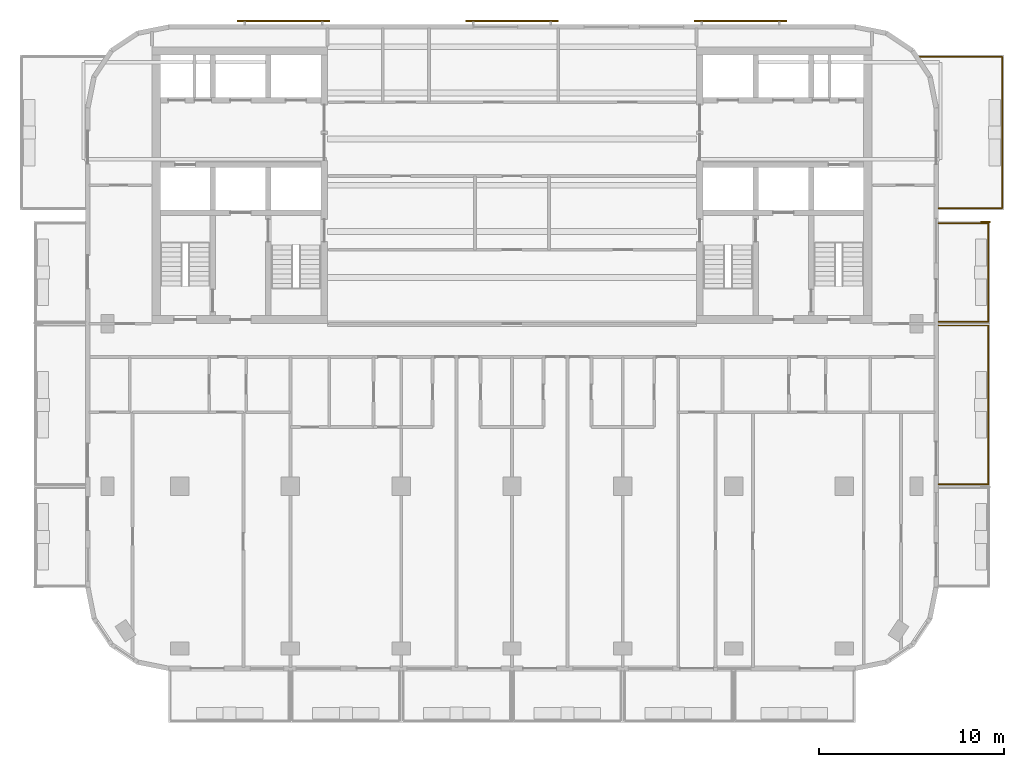
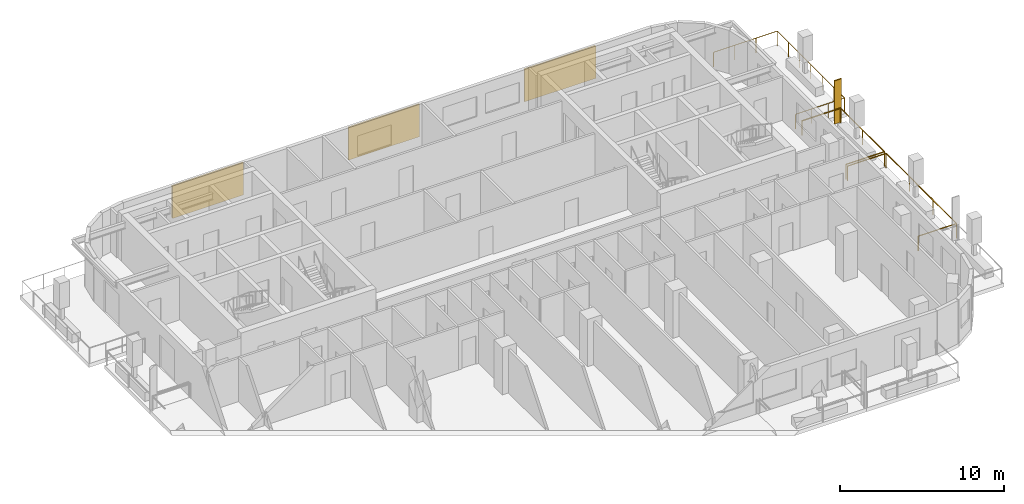
# One storey, part 10 of 11: 4 shading devices, 3 railings.
"""IFC4 building model written with IfcOpenShell, lengths in metres."""

from ifc_helpers import new_model, si_unit, direction, frame, origin, origin_2d, place, context, subcontext, project, spatial, rectangle, circle, extrude, material, layer, layer_set, type_object, element, save


model = new_model("IFC4")

# Units and contexts
model_context = context("Model", 3, precision=1e-05, world=origin(), true_north=direction((0.0, 1.0)))
body_context = subcontext(model_context, "Body", "Model", "MODEL_VIEW")
ifc_project = project(units=[si_unit("LENGTHUNIT", "METRE"), si_unit("AREAUNIT", "SQUARE_METRE"), si_unit("VOLUMEUNIT", "CUBIC_METRE"), si_unit("PLANEANGLEUNIT", "RADIAN"), si_unit("MASSUNIT", "GRAM", prefix="KILO")], contexts=[model_context])

# Site, building, storey
site_placement = place(None, origin())
site = spatial("IfcSite", under=ifc_project, at=site_placement, CompositionType="ELEMENT")
building_placement = place(site_placement, origin())
building = spatial("IfcBuilding", under=site, at=building_placement, Name="Torana Hotel and Residences", CompositionType="ELEMENT")
storey_placement = place(building_placement, frame((0.0, 0.0, 256.10009765625)))
storey = spatial("IfcBuildingStorey", under=building, at=storey_placement, Name="L67", CompositionType="ELEMENT", Elevation=256.10009765625)

# Shading device
ifc_material_1 = material(Name="Black powder coated aluminium", Category="aluminium")
ifc_layer_1 = layer(ifc_material_1, 0.080078125)
ifc_layer_set_1 = layer_set([ifc_layer_1], Name="FN1 VERTICAL FIN 500x80")
shading_device_type_1 = type_object("IfcShadingDeviceType", Name="FN1 VERTICAL FIN 500x80", PredefinedType="USERDEFINED", material=ifc_layer_set_1)
shading_device_placement = place(storey_placement, frame((25.64990234375, -9.489990234375, 0.0), z_axis=(0.0, 0.0, 1.0), x_axis=(0.0, -1.0, 0.0)))
element("IfcShadingDevice", 1, at=shading_device_placement, inside=storey, type_object=shading_device_type_1, Name="Fin 13", ObjectType="FIN", PredefinedType="USERDEFINED", context=body_context, shape_type="SweptSolid", body=[
    extrude(rectangle(XDim=0.080078125, YDim=0.5, at=origin_2d()), origin(), (0.0, 0.0, 1.0), 3.219970703125),
])

# Railings
ifc_material_2 = material(Name="Laminated glass balustrade with black handrail", Category="glass")
railing_type = type_object("IfcRailingType", Name="GR1 BALCONY GUARD 1100 GLASS", PredefinedType="GUARDRAIL", material=ifc_material_2)
railing_1_placement = place(storey_placement, frame((23.10009765625, -15.10009765625, 0.0)))
element("IfcRailing", 2, at=railing_1_placement, inside=storey, type_object=railing_type, Name="Balcony guard 12", PredefinedType="GUARDRAIL", context=body_context, shape_type="SweptSolid", body=[
    extrude(circle(Radius=0.02392578125, at=origin_2d()), frame((0.0, 0.0, 1.076171875), z_axis=(1.0, 0.0, 0.0), x_axis=(0.0, 1.0, 0.0)), (0.0, 0.0, 1.0), 2.699951171875),
    extrude(circle(Radius=0.02392578125, at=origin_2d()), frame((2.699951171875, 0.0, 1.076171875), z_axis=(0.0, -1.0, 0.0), x_axis=(1.0, 0.0, 0.0)), (0.0, 0.0, 1.0), 8.599853515625),
    extrude(circle(Radius=0.02392578125, at=origin_2d()), frame((2.699951171875, -8.599853515625, 1.076171875), z_axis=(-1.0, 0.0, 0.0), x_axis=(0.0, -1.0, 0.0)), (0.0, 0.0, 1.0), 2.699951171875),
    extrude(circle(Radius=0.02099609375, at=origin_2d()), origin(), (0.0, 0.0, 1.0), 1.052001953125),
    extrude(circle(Radius=0.02099609375, at=origin_2d()), frame((2.699951171875, 0.0, 0.0)), (0.0, 0.0, 1.0), 1.052001953125),
    extrude(circle(Radius=0.02099609375, at=origin_2d()), frame((2.699951171875, -2.86669921875, 0.0)), (0.0, 0.0, 1.0), 1.052001953125),
    extrude(circle(Radius=0.02099609375, at=origin_2d()), frame((2.699951171875, -5.733154296875, 0.0)), (0.0, 0.0, 1.0), 1.052001953125),
    extrude(circle(Radius=0.02099609375, at=origin_2d()), frame((2.699951171875, -8.599853515625, 0.0)), (0.0, 0.0, 1.0), 1.052001953125),
    extrude(circle(Radius=0.02099609375, at=origin_2d()), frame((0.0, -8.599853515625, 0.0)), (0.0, 0.0, 1.0), 1.052001953125),
])
railing_2_placement = place(storey_placement, frame((23.10009765625, -9.550048828125, 0.0)))
element("IfcRailing", 3, at=railing_2_placement, inside=storey, type_object=railing_type, Name="Balcony guard 13", PredefinedType="GUARDRAIL", context=body_context, shape_type="SweptSolid", body=[
    extrude(circle(Radius=0.02392578125, at=origin_2d()), frame((0.0, 0.0, 1.076171875), z_axis=(1.0, 0.0, 0.0), x_axis=(0.0, 1.0, 0.0)), (0.0, 0.0, 1.0), 2.699951171875),
    extrude(circle(Radius=0.02392578125, at=origin_2d()), frame((2.699951171875, 0.0, 1.076171875), z_axis=(0.0, -1.0, 0.0), x_axis=(1.0, 0.0, 0.0)), (0.0, 0.0, 1.0), 5.349853515625),
    extrude(circle(Radius=0.02392578125, at=origin_2d()), frame((2.699951171875, -5.349853515625, 1.076171875), z_axis=(-1.0, 0.0, 0.0), x_axis=(0.0, -1.0, 0.0)), (0.0, 0.0, 1.0), 2.699951171875),
    extrude(circle(Radius=0.02099609375, at=origin_2d()), origin(), (0.0, 0.0, 1.0), 1.052001953125),
    extrude(circle(Radius=0.02099609375, at=origin_2d()), frame((2.699951171875, 0.0, 0.0)), (0.0, 0.0, 1.0), 1.052001953125),
    extrude(circle(Radius=0.02099609375, at=origin_2d()), frame((2.699951171875, -2.6748046875, 0.0)), (0.0, 0.0, 1.0), 1.052001953125),
    extrude(circle(Radius=0.02099609375, at=origin_2d()), frame((2.699951171875, -5.349853515625, 0.0)), (0.0, 0.0, 1.0), 1.052001953125),
    extrude(circle(Radius=0.02099609375, at=origin_2d()), frame((0.0, -5.349853515625, 0.0)), (0.0, 0.0, 1.0), 1.052001953125),
])
railing_3_placement = place(storey_placement, frame((22.07080078125, -0.550048828125, 0.0)))
element("IfcRailing", 4, at=railing_3_placement, inside=storey, type_object=railing_type, Name="Balcony guard 14", PredefinedType="GUARDRAIL", context=body_context, shape_type="SweptSolid", body=[
    extrude(circle(Radius=0.02392578125, at=origin_2d()), frame((0.0, 0.0, 1.076171875), z_axis=(1.0, 0.0, 0.0), x_axis=(0.0, 1.0, 0.0)), (0.0, 0.0, 1.0), 4.479248046875),
    extrude(circle(Radius=0.02392578125, at=origin_2d()), frame((4.479248046875, 0.0, 1.076171875), z_axis=(0.0, -1.0, 0.0), x_axis=(1.0, 0.0, 0.0)), (0.0, 0.0, 1.0), 8.199951171875),
    extrude(circle(Radius=0.02392578125, at=origin_2d()), frame((4.479248046875, -8.199951171875, 1.076171875), z_axis=(-1.0, 0.0, 0.0), x_axis=(0.0, -1.0, 0.0)), (0.0, 0.0, 1.0), 3.449951171875),
    extrude(circle(Radius=0.02099609375, at=origin_2d()), origin(), (0.0, 0.0, 1.0), 1.052001953125),
    extrude(circle(Radius=0.02099609375, at=origin_2d()), frame((1.4931640625, 0.0, 0.0)), (0.0, 0.0, 1.0), 1.052001953125),
    extrude(circle(Radius=0.02099609375, at=origin_2d()), frame((2.986083984375, 0.0, 0.0)), (0.0, 0.0, 1.0), 1.052001953125),
    extrude(circle(Radius=0.02099609375, at=origin_2d()), frame((4.479248046875, 0.0, 0.0)), (0.0, 0.0, 1.0), 1.052001953125),
    extrude(circle(Radius=0.02099609375, at=origin_2d()), frame((4.479248046875, -1.36669921875, 0.0)), (0.0, 0.0, 1.0), 1.052001953125),
    extrude(circle(Radius=0.02099609375, at=origin_2d()), frame((4.479248046875, -2.7333984375, 0.0)), (0.0, 0.0, 1.0), 1.052001953125),
    extrude(circle(Radius=0.02099609375, at=origin_2d()), frame((4.479248046875, -4.10009765625, 0.0)), (0.0, 0.0, 1.0), 1.052001953125),
    extrude(circle(Radius=0.02099609375, at=origin_2d()), frame((4.479248046875, -5.466552734375, 0.0)), (0.0, 0.0, 1.0), 1.052001953125),
    extrude(circle(Radius=0.02099609375, at=origin_2d()), frame((4.479248046875, -6.833251953125, 0.0)), (0.0, 0.0, 1.0), 1.052001953125),
    extrude(circle(Radius=0.02099609375, at=origin_2d()), frame((4.479248046875, -8.199951171875, 0.0)), (0.0, 0.0, 1.0), 1.052001953125),
    extrude(circle(Radius=0.02099609375, at=origin_2d()), frame((3.329345703125, -8.199951171875, 0.0)), (0.0, 0.0, 1.0), 1.052001953125),
    extrude(circle(Radius=0.02099609375, at=origin_2d()), frame((2.17919921875, -8.199951171875, 0.0)), (0.0, 0.0, 1.0), 1.052001953125),
    extrude(circle(Radius=0.02099609375, at=origin_2d()), frame((1.029296875, -8.199951171875, 0.0)), (0.0, 0.0, 1.0), 1.052001953125),
])

# Shading devices
ifc_material_3 = material(Name="Concrete C40/50 precast", Category="concrete")
ifc_layer_2 = layer(ifc_material_3, 0.10009765625)
ifc_layer_set_2 = layer_set([ifc_layer_2], Name="SC1 PERFORATED BLOCK SCREEN PANEL 100")
shading_device_type_2 = type_object("IfcShadingDeviceType", Name="SC1 PERFORATED BLOCK SCREEN PANEL 100", PredefinedType="USERDEFINED", material=ifc_layer_set_2)
for number, where, z_axis, x_axis, name in (
    (5, (12.383544921875, 1.39990234375, 0.5), (0.0, 0.0, 1.0), (-1.0, 0.0, 0.0), "Perforated block screen L67"),
    (6, (0.0, 1.39990234375, 0.5), (0.0, 0.0, 1.0), (-1.0, 0.0, 0.0), "Perforated block screen L67"),
    (7, (-12.383544921875, 1.39990234375, 0.5), (0.0, 0.0, 1.0), (-1.0, 0.0, 0.0), "Perforated block screen L67"),
):
    element("IfcShadingDevice", number, at=place(storey_placement, frame(where, z_axis=z_axis, x_axis=x_axis)), inside=storey, type_object=shading_device_type_2, Name=name, ObjectType="SCREEN", PredefinedType="USERDEFINED", context=body_context, shape_type="SweptSolid", body=[
        extrude(rectangle(XDim=5.0, YDim=0.10009765625, at=origin_2d()), origin(), (0.0, 0.0, 1.0), 2.419921875),
    ])

save(model, "model.ifc")
